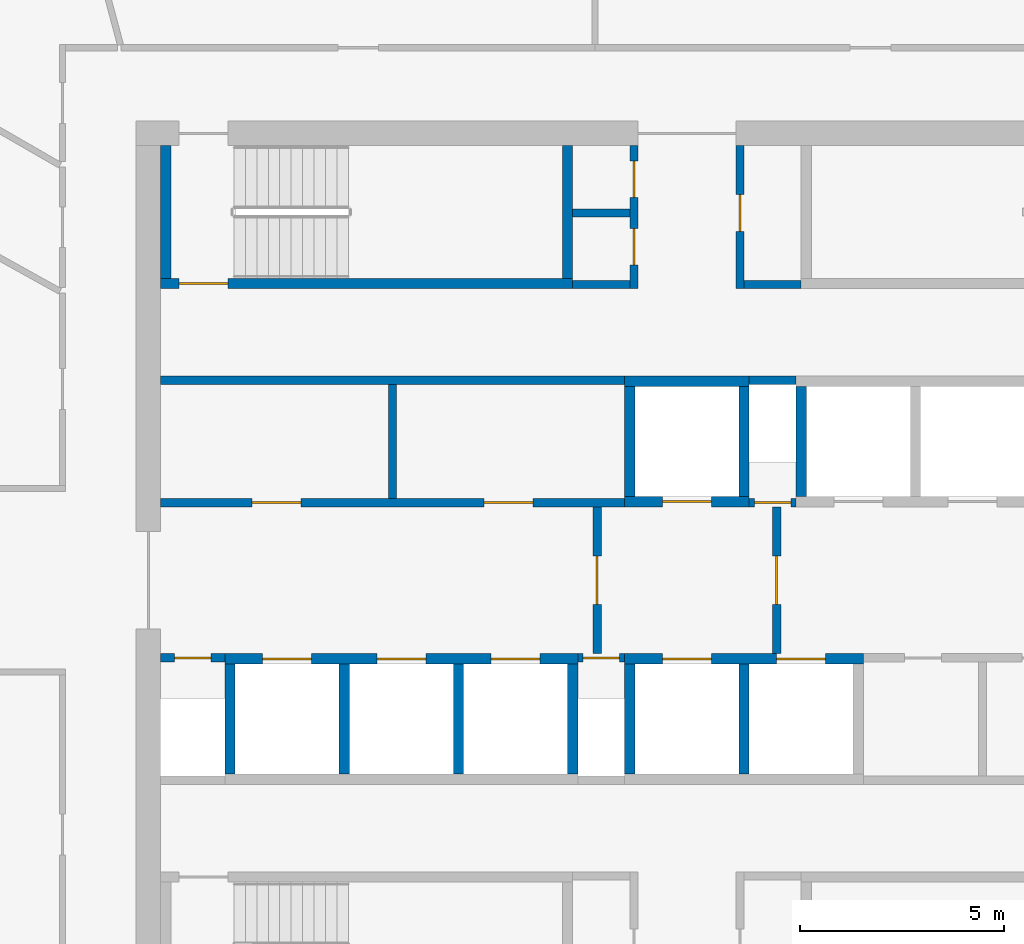
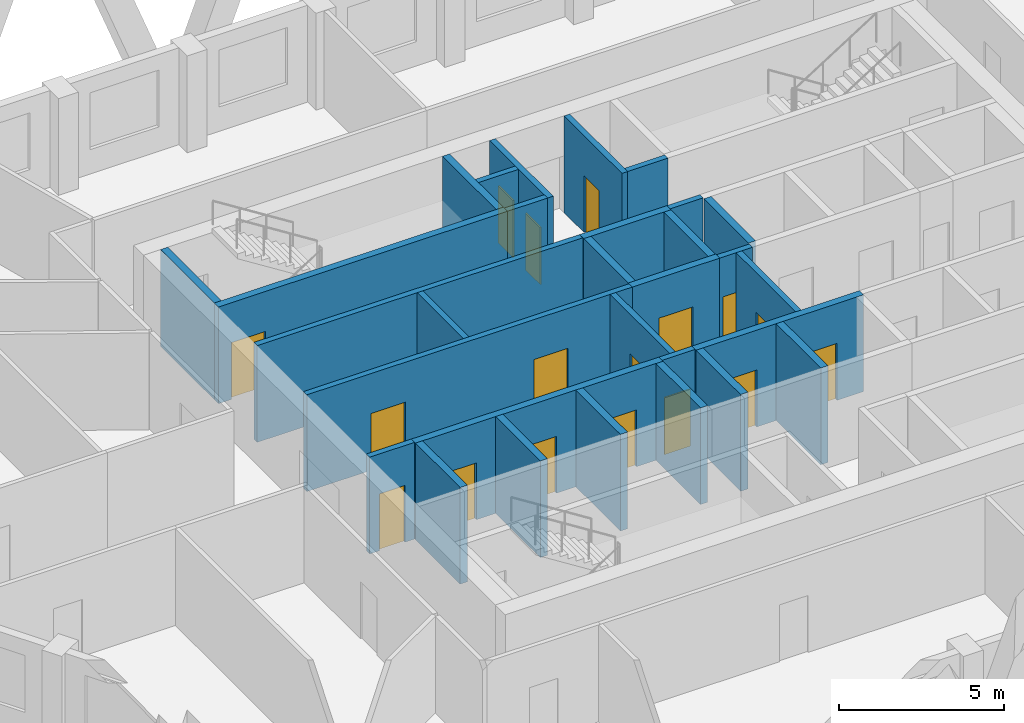
# One storey, part 3 of 13: 30 walls, 17 doors, 17 openings.
"""IFC4 building model written with IfcOpenShell, lengths in metres."""

from ifc_helpers import new_model, si_unit, direction, frame, frame_2d, origin, place, context, subcontext, project, spatial, polyline, rectangle, outline, extrude, material, layer, layer_set, type_object, element, fill, save


model = new_model("IFC4")

# Units and contexts
model_context = context("Model", 3, precision=1e-05, world=origin(), true_north=direction((0.0, 1.0)))
body_context = subcontext(model_context, "Body", "Model", "MODEL_VIEW")
ifc_project = project(units=[si_unit("LENGTHUNIT", "METRE"), si_unit("AREAUNIT", "SQUARE_METRE"), si_unit("VOLUMEUNIT", "CUBIC_METRE"), si_unit("PLANEANGLEUNIT", "RADIAN"), si_unit("MASSUNIT", "GRAM", prefix="KILO")], contexts=[model_context])

# Site, building, storey
site_placement = place(None, origin())
site = spatial("IfcSite", under=ifc_project, at=site_placement, CompositionType="ELEMENT")
building_placement = place(site_placement, origin())
building = spatial("IfcBuilding", under=site, at=building_placement, Name="Dhurran Vertical Campus", CompositionType="ELEMENT")
storey_placement = place(building_placement, frame((0.0, 0.0, 258.60009765625)))
storey = spatial("IfcBuildingStorey", under=building, at=storey_placement, Name="L64", CompositionType="ELEMENT", Elevation=258.60009765625)

# Wall, opening, door
ifc_material_1 = material(Name="Fire-rated masonry blockwork", Category="masonry")
ifc_layer_1 = layer(ifc_material_1, 0.199951171875)
ifc_layer_set_1 = layer_set([ifc_layer_1], Name="Fire-rated masonry blockwork")
wall_type_1 = type_object("IfcWallType", Name="co-FIRE-PARTITION-200", PredefinedType="PARTITIONING", material=ifc_layer_set_1)
wall_1_placement = place(storey_placement, frame((-2.199951171875, -1.800048828125, 0.0), z_axis=(0.0, 0.0, 1.0), x_axis=(0.0, 1.0, 0.0)))
wall_1 = element("IfcWall", 1, at=wall_1_placement, inside=storey, type_object=wall_type_1, Name="Firefighting lobby wall W L64", PredefinedType="PARTITIONING", context=body_context, shape_type="SweptSolid", body=[
    extrude(rectangle(XDim=3.60009765625, YDim=0.199951171875, at=frame_2d((1.800048828125, 0.0))), origin(), (0.0, 0.0, 1.0), 3.574951171875),
])
opening_1_placement = place(wall_1_placement, frame((1.199951171875, 0.0, 0.0)))
opening_1 = element("IfcOpeningElement", 2, at=opening_1_placement, cuts=wall_1, Name="Opening FL1", PredefinedType="OPENING", context=body_context, shape_type="SweptSolid", body=[
    extrude(rectangle(XDim=1.199951171875, YDim=2.10009765625, at=frame_2d((0.60009765625, 1.050048828125))), frame((0.0, 0.10986328125, 0.0), z_axis=(0.0, -1.0, 0.0), x_axis=(1.0, 0.0, 0.0)), (0.0, 0.0, 1.0), 0.219970703125),
])
ifc_material_2 = material(Name="Fire-rated steel door set", Category="steel")
door_type_1 = type_object("IfcDoorType", Name="co-D-FFLOBBY 1200x2100", OperationType="SINGLE_SWING_LEFT", PredefinedType="DOOR", material=ifc_material_2)
door_1_placement = place(opening_1_placement, origin())
door_1 = element("IfcDoor", 3, at=door_1_placement, inside=storey, type_object=door_type_1, Name="Firefighting lobby door W L64", OperationType="SINGLE_SWING_LEFT", OverallHeight=2.10009765625, OverallWidth=1.199951171875, PredefinedType="DOOR", context=body_context, shape_type="SweptSolid", body=[
    extrude(rectangle(XDim=1.199951171875, YDim=2.10009765625, at=frame_2d((0.60009765625, 1.050048828125))), frame((0.0, 0.02490234375, 0.0), z_axis=(0.0, -1.0, 0.0), x_axis=(1.0, 0.0, 0.0)), (0.0, 0.0, 1.0), 0.050048828125),
])
fill(opening_1, door_1)

wall_2_placement = place(storey_placement, frame((2.199951171875, -1.800048828125, 0.0), z_axis=(0.0, 0.0, 1.0), x_axis=(0.0, 1.0, 0.0)))
wall_2 = element("IfcWall", 4, at=wall_2_placement, inside=storey, type_object=wall_type_1, Name="Firefighting lobby wall E L64", PredefinedType="PARTITIONING", context=body_context, shape_type="SweptSolid", body=[
    extrude(rectangle(XDim=3.60009765625, YDim=0.199951171875, at=frame_2d((1.800048828125, 0.0))), origin(), (0.0, 0.0, 1.0), 3.574951171875),
])
opening_2_placement = place(wall_2_placement, frame((1.199951171875, 0.0, 0.0)))
opening_2 = element("IfcOpeningElement", 5, at=opening_2_placement, cuts=wall_2, Name="Opening FL2", PredefinedType="OPENING", context=body_context, shape_type="SweptSolid", body=[
    extrude(rectangle(XDim=1.199951171875, YDim=2.10009765625, at=frame_2d((0.60009765625, 1.050048828125))), frame((0.0, 0.10986328125, 0.0), z_axis=(0.0, -1.0, 0.0), x_axis=(1.0, 0.0, 0.0)), (0.0, 0.0, 1.0), 0.219970703125),
])
door_2_placement = place(opening_2_placement, origin())
door_2 = element("IfcDoor", 6, at=door_2_placement, inside=storey, type_object=door_type_1, Name="Firefighting lobby door E L64", OperationType="SINGLE_SWING_LEFT", OverallHeight=2.10009765625, OverallWidth=1.199951171875, PredefinedType="DOOR", context=body_context, shape_type="SweptSolid", body=[
    extrude(rectangle(XDim=1.199951171875, YDim=2.10009765625, at=frame_2d((0.60009765625, 1.050048828125))), frame((0.0, 0.02490234375, 0.0), z_axis=(0.0, -1.0, 0.0), x_axis=(1.0, 0.0, 0.0)), (0.0, 0.0, 1.0), 0.050048828125),
])
fill(opening_2, door_2)

# Walls
for number, where, z_axis, x_axis, name in (
    (7, (-2.800048828125, 7.25, 0.0), (0.0, 0.0, 1.0), (1.0, 0.0, 0.0), "Core partition sl-NW-S L64"),
    (8, (-2.800048828125, 9.0, 0.0), (0.0, 0.0, 1.0), (1.0, 0.0, 0.0), "Core partition sl-NW-cut0 L64"),
    (9, (1.39990234375, 7.25, 0.0), (0.0, 0.0, 1.0), (1.0, 0.0, 0.0), "Core partition sl-NE-S L64"),
):
    element("IfcWall", number, at=place(storey_placement, frame(where, z_axis=z_axis, x_axis=x_axis)), inside=storey, type_object=wall_type_1, Name=name, PredefinedType="PARTITIONING", context=body_context, shape_type="SweptSolid", body=[
        extrude(rectangle(XDim=1.400146484375, YDim=0.199951171875, at=frame_2d((0.7001953125, 0.0))), origin(), (0.0, 0.0, 1.0), 3.574951171875),
    ])

# Wall, openings, doors
wall_3_placement = place(storey_placement, frame((-1.300048828125, 7.14990234375, 0.0), z_axis=(0.0, 0.0, 1.0), x_axis=(0.0, 1.0, 0.0)))
wall_3 = element("IfcWall", 10, at=wall_3_placement, inside=storey, type_object=wall_type_1, Name="Core partition vest-NW L64", PredefinedType="PARTITIONING", context=body_context, shape_type="SweptSolid", body=[
    extrude(rectangle(XDim=3.5, YDim=0.199951171875, at=frame_2d((1.75, 0.0))), origin(), (0.0, 0.0, 1.0), 3.574951171875),
])
opening_3_placement = place(wall_3_placement, frame((0.574951171875, 0.0, 0.0)))
opening_3 = element("IfcOpeningElement", 11, at=opening_3_placement, cuts=wall_3, Name="Opening T19-C3", PredefinedType="OPENING", context=body_context, shape_type="SweptSolid", body=[
    extrude(rectangle(XDim=0.89990234375, YDim=2.10009765625, at=frame_2d((0.449951171875, 1.050048828125))), frame((0.0, 0.10986328125, 0.0), z_axis=(0.0, -1.0, 0.0), x_axis=(1.0, 0.0, 0.0)), (0.0, 0.0, 1.0), 0.219970703125),
])
opening_4_placement = place(wall_3_placement, frame((2.22509765625, 0.0, 0.0)))
opening_4 = element("IfcOpeningElement", 12, at=opening_4_placement, cuts=wall_3, Name="Opening T19-C4", PredefinedType="OPENING", context=body_context, shape_type="SweptSolid", body=[
    extrude(rectangle(XDim=0.89990234375, YDim=2.10009765625, at=frame_2d((0.449951171875, 1.050048828125))), frame((0.0, 0.10986328125, 0.0), z_axis=(0.0, -1.0, 0.0), x_axis=(1.0, 0.0, 0.0)), (0.0, 0.0, 1.0), 0.219970703125),
])
ifc_material_3 = material(Name="Fire-rated timber door set", Category="wood")
door_type_2 = type_object("IfcDoorType", Name="co-D-ROOM 900x2100", OperationType="SINGLE_SWING_LEFT", PredefinedType="DOOR", material=ifc_material_3)
door_3_placement = place(opening_3_placement, origin())
door_3 = element("IfcDoor", 13, at=door_3_placement, inside=storey, type_object=door_type_2, Name="Server room door L64", OperationType="SINGLE_SWING_LEFT", OverallHeight=2.10009765625, OverallWidth=0.89990234375, PredefinedType="DOOR", context=body_context, shape_type="SweptSolid", body=[
    extrude(rectangle(XDim=0.89990234375, YDim=2.10009765625, at=frame_2d((0.449951171875, 1.050048828125))), frame((0.0, 0.02490234375, 0.0), z_axis=(0.0, -1.0, 0.0), x_axis=(1.0, 0.0, 0.0)), (0.0, 0.0, 1.0), 0.050048828125),
])
fill(opening_3, door_3)
door_4_placement = place(opening_4_placement, origin())
door_4 = element("IfcDoor", 14, at=door_4_placement, inside=storey, type_object=door_type_2, Name="Fire equipment store door L64", OperationType="SINGLE_SWING_LEFT", OverallHeight=2.10009765625, OverallWidth=0.89990234375, PredefinedType="DOOR", context=body_context, shape_type="SweptSolid", body=[
    extrude(rectangle(XDim=0.89990234375, YDim=2.10009765625, at=frame_2d((0.449951171875, 1.050048828125))), frame((0.0, 0.02490234375, 0.0), z_axis=(0.0, -1.0, 0.0), x_axis=(1.0, 0.0, 0.0)), (0.0, 0.0, 1.0), 0.050048828125),
])
fill(opening_4, door_4)

# Wall, opening, door
wall_4_placement = place(storey_placement, frame((1.300048828125, 7.14990234375, 0.0), z_axis=(0.0, 0.0, 1.0), x_axis=(0.0, 1.0, 0.0)))
wall_4 = element("IfcWall", 15, at=wall_4_placement, inside=storey, type_object=wall_type_1, Name="Core partition vest-NE L64", PredefinedType="PARTITIONING", context=body_context, shape_type="SweptSolid", body=[
    extrude(rectangle(XDim=3.5, YDim=0.199951171875, at=frame_2d((1.75, 0.0))), origin(), (0.0, 0.0, 1.0), 3.574951171875),
])
opening_5_placement = place(wall_4_placement, frame((1.39990234375, 0.0, 0.0)))
opening_5 = element("IfcOpeningElement", 16, at=opening_5_placement, cuts=wall_4, Name="Opening T19-C5", PredefinedType="OPENING", context=body_context, shape_type="SweptSolid", body=[
    extrude(rectangle(XDim=0.89990234375, YDim=2.10009765625, at=frame_2d((0.449951171875, 1.050048828125))), frame((0.0, 0.10986328125, 0.0), z_axis=(0.0, -1.0, 0.0), x_axis=(1.0, 0.0, 0.0)), (0.0, 0.0, 1.0), 0.219970703125),
])
door_5_placement = place(opening_5_placement, origin())
door_5 = element("IfcDoor", 17, at=door_5_placement, inside=storey, type_object=door_type_2, Name="Pantry door L64", OperationType="SINGLE_SWING_LEFT", OverallHeight=2.10009765625, OverallWidth=0.89990234375, PredefinedType="DOOR", context=body_context, shape_type="SweptSolid", body=[
    extrude(rectangle(XDim=0.89990234375, YDim=2.10009765625, at=frame_2d((0.449951171875, 1.050048828125))), frame((0.0, 0.02490234375, 0.0), z_axis=(0.0, -1.0, 0.0), x_axis=(1.0, 0.0, 0.0)), (0.0, 0.0, 1.0), 0.050048828125),
])
fill(opening_5, door_5)

# Wall
wall_5_placement = place(storey_placement, frame((-7.21240234375, 2.0, 0.0), z_axis=(0.0, 0.0, 1.0), x_axis=(0.0, 1.0, 0.0)))
element("IfcWall", 18, at=wall_5_placement, inside=storey, type_object=wall_type_1, Name="Core partition fr-N0-cut0 L64", PredefinedType="PARTITIONING", context=body_context, shape_type="SweptSolid", body=[
    extrude(rectangle(XDim=2.800048828125, YDim=0.199951171875, at=frame_2d((1.39990234375, 0.0))), origin(), (0.0, 0.0, 1.0), 3.574951171875),
])

# Wall, openings, doors
wall_6_placement = place(storey_placement, frame((-12.89990234375, 1.89990234375, 0.0), z_axis=(0.0, 0.0, 1.0), x_axis=(1.0, 0.0, 0.0)))
wall_6 = element("IfcWall", 19, at=wall_6_placement, inside=storey, type_object=wall_type_1, Name="Core partition fr-N0-f L64", PredefinedType="PARTITIONING", context=body_context, shape_type="SweptSolid", body=[
    extrude(rectangle(XDim=11.375, YDim=0.199951171875, at=frame_2d((5.6875, 0.0))), origin(), (0.0, 0.0, 1.0), 3.574951171875),
])
opening_6_placement = place(wall_6_placement, frame((2.243896484375, 0.0, 0.0)))
opening_6 = element("IfcOpeningElement", 20, at=opening_6_placement, cuts=wall_6, Name="Opening T19-C6", PredefinedType="OPENING", context=body_context, shape_type="SweptSolid", body=[
    extrude(rectangle(XDim=1.199951171875, YDim=2.10009765625, at=frame_2d((0.60009765625, 1.050048828125))), frame((0.0, 0.10986328125, 0.0), z_axis=(0.0, -1.0, 0.0), x_axis=(1.0, 0.0, 0.0)), (0.0, 0.0, 1.0), 0.219970703125),
])
opening_7_placement = place(wall_6_placement, frame((7.931396484375, 0.0, 0.0)))
opening_7 = element("IfcOpeningElement", 21, at=opening_7_placement, cuts=wall_6, Name="Opening T19-C7", PredefinedType="OPENING", context=body_context, shape_type="SweptSolid", body=[
    extrude(rectangle(XDim=1.199951171875, YDim=2.10009765625, at=frame_2d((0.60009765625, 1.050048828125))), frame((0.0, 0.10986328125, 0.0), z_axis=(0.0, -1.0, 0.0), x_axis=(1.0, 0.0, 0.0)), (0.0, 0.0, 1.0), 0.219970703125),
])
ifc_material_4 = material(Name="Fire-rated steel door set", Category="steel")
door_type_3 = type_object("IfcDoorType", Name="co-D-ROOM-PASSAGE 1200x2100", OperationType="SINGLE_SWING_RIGHT", PredefinedType="DOOR", material=ifc_material_4)
door_6_placement = place(opening_6_placement, origin())
door_6 = element("IfcDoor", 22, at=door_6_placement, inside=storey, type_object=door_type_3, Name="Store door L64", OperationType="SINGLE_SWING_RIGHT", OverallHeight=2.10009765625, OverallWidth=1.199951171875, PredefinedType="DOOR", context=body_context, shape_type="SweptSolid", body=[
    extrude(rectangle(XDim=1.199951171875, YDim=2.10009765625, at=frame_2d((0.60009765625, 1.050048828125))), frame((0.0, 0.02490234375, 0.0), z_axis=(0.0, -1.0, 0.0), x_axis=(1.0, 0.0, 0.0)), (0.0, 0.0, 1.0), 0.050048828125),
])
fill(opening_6, door_6)
door_7_placement = place(opening_7_placement, origin())
door_7 = element("IfcDoor", 23, at=door_7_placement, inside=storey, type_object=door_type_3, Name="Housekeeping store door L64", OperationType="SINGLE_SWING_RIGHT", OverallHeight=2.10009765625, OverallWidth=1.199951171875, PredefinedType="DOOR", context=body_context, shape_type="SweptSolid", body=[
    extrude(rectangle(XDim=1.199951171875, YDim=2.10009765625, at=frame_2d((0.60009765625, 1.050048828125))), frame((0.0, 0.02490234375, 0.0), z_axis=(0.0, -1.0, 0.0), x_axis=(1.0, 0.0, 0.0)), (0.0, 0.0, 1.0), 0.050048828125),
])
fill(opening_7, door_7)

# Wall
wall_7_placement = place(storey_placement, frame((-12.89990234375, 4.89990234375, 0.0), z_axis=(0.0, 0.0, 1.0), x_axis=(1.0, 0.0, 0.0)))
element("IfcWall", 24, at=wall_7_placement, inside=storey, type_object=wall_type_1, Name="Core partition fr-N0-b L64", PredefinedType="PARTITIONING", context=body_context, shape_type="SweptSolid", body=[
    extrude(rectangle(XDim=11.375, YDim=0.199951171875, at=frame_2d((5.6875, 0.0))), origin(), (0.0, 0.0, 1.0), 3.574951171875),
])

# Wall, opening, door
wall_8_placement = place(storey_placement, frame((1.52490234375, 1.89990234375, 0.0), z_axis=(0.0, 0.0, 1.0), x_axis=(1.0, 0.0, 0.0)))
wall_8 = element("IfcWall", 25, at=wall_8_placement, inside=storey, type_object=wall_type_1, Name="Core partition fr-N1-f L64", PredefinedType="PARTITIONING", context=body_context, shape_type="SweptSolid", body=[
    extrude(rectangle(XDim=1.150146484375, YDim=0.199951171875, at=frame_2d((0.5751953125, 0.0))), origin(), (0.0, 0.0, 1.0), 3.574951171875),
])
opening_8_placement = place(wall_8_placement, frame((0.125, 0.0, 0.0)))
opening_8 = element("IfcOpeningElement", 26, at=opening_8_placement, cuts=wall_8, Name="Opening T19-C8", PredefinedType="OPENING", context=body_context, shape_type="SweptSolid", body=[
    extrude(rectangle(XDim=0.89990234375, YDim=2.10009765625, at=frame_2d((0.449951171875, 1.050048828125))), frame((0.0, 0.10986328125, 0.0), z_axis=(0.0, -1.0, 0.0), x_axis=(1.0, 0.0, 0.0)), (0.0, 0.0, 1.0), 0.219970703125),
])
door_8_placement = place(opening_8_placement, origin())
door_8 = element("IfcDoor", 27, at=door_8_placement, inside=storey, type_object=door_type_2, Name="Water riser door L64", OperationType="SINGLE_SWING_LEFT", OverallHeight=2.10009765625, OverallWidth=0.89990234375, PredefinedType="DOOR", context=body_context, shape_type="SweptSolid", body=[
    extrude(rectangle(XDim=0.89990234375, YDim=2.10009765625, at=frame_2d((0.449951171875, 1.050048828125))), frame((0.0, 0.02490234375, 0.0), z_axis=(0.0, -1.0, 0.0), x_axis=(1.0, 0.0, 0.0)), (0.0, 0.0, 1.0), 0.050048828125),
])
fill(opening_8, door_8)

# Wall
wall_9_placement = place(storey_placement, frame((1.52490234375, 4.89990234375, 0.0), z_axis=(0.0, 0.0, 1.0), x_axis=(1.0, 0.0, 0.0)))
element("IfcWall", 28, at=wall_9_placement, inside=storey, type_object=wall_type_1, Name="Core partition fr-N1-b L64", PredefinedType="PARTITIONING", context=body_context, shape_type="SweptSolid", body=[
    extrude(rectangle(XDim=1.150146484375, YDim=0.199951171875, at=frame_2d((0.5751953125, 0.0))), origin(), (0.0, 0.0, 1.0), 3.574951171875),
])

# Wall, opening, door
wall_10_placement = place(storey_placement, frame((-12.89990234375, -1.89990234375, 0.0), z_axis=(0.0, 0.0, 1.0), x_axis=(1.0, 0.0, 0.0)))
wall_10 = element("IfcWall", 29, at=wall_10_placement, inside=storey, type_object=wall_type_1, Name="Core partition fr-S0-f L64", PredefinedType="PARTITIONING", context=body_context, shape_type="SweptSolid", body=[
    extrude(rectangle(XDim=1.574951171875, YDim=0.199951171875, at=frame_2d((0.78759765625, 0.0))), origin(), (0.0, 0.0, 1.0), 3.574951171875),
])
opening_9_placement = place(wall_10_placement, frame((0.33740234375, 0.0, 0.0)))
opening_9 = element("IfcOpeningElement", 30, at=opening_9_placement, cuts=wall_10, Name="Opening T19-C10", PredefinedType="OPENING", context=body_context, shape_type="SweptSolid", body=[
    extrude(rectangle(XDim=0.89990234375, YDim=2.10009765625, at=frame_2d((0.449951171875, 1.050048828125))), frame((0.0, 0.10986328125, 0.0), z_axis=(0.0, -1.0, 0.0), x_axis=(1.0, 0.0, 0.0)), (0.0, 0.0, 1.0), 0.219970703125),
])
door_9_placement = place(opening_9_placement, origin())
door_9 = element("IfcDoor", 31, at=door_9_placement, inside=storey, type_object=door_type_2, Name="Electrical riser door L64", OperationType="SINGLE_SWING_LEFT", OverallHeight=2.10009765625, OverallWidth=0.89990234375, PredefinedType="DOOR", context=body_context, shape_type="SweptSolid", body=[
    extrude(rectangle(XDim=0.89990234375, YDim=2.10009765625, at=frame_2d((0.449951171875, 1.050048828125))), frame((0.0, 0.02490234375, 0.0), z_axis=(0.0, -1.0, 0.0), x_axis=(1.0, 0.0, 0.0)), (0.0, 0.0, 1.0), 0.050048828125),
])
fill(opening_9, door_9)

wall_11_placement = place(storey_placement, frame((-2.675048828125, -1.89990234375, 0.0), z_axis=(0.0, 0.0, 1.0), x_axis=(1.0, 0.0, 0.0)))
wall_11 = element("IfcWall", 32, at=wall_11_placement, inside=storey, type_object=wall_type_1, Name="Core partition fr-S1-f L64", PredefinedType="PARTITIONING", context=body_context, shape_type="SweptSolid", body=[
    extrude(rectangle(XDim=1.150146484375, YDim=0.199951171875, at=frame_2d((0.5751953125, 0.0))), origin(), (0.0, 0.0, 1.0), 3.574951171875),
])
opening_10_placement = place(wall_11_placement, frame((0.125, 0.0, 0.0)))
opening_10 = element("IfcOpeningElement", 33, at=opening_10_placement, cuts=wall_11, Name="Opening T19-C11", PredefinedType="OPENING", context=body_context, shape_type="SweptSolid", body=[
    extrude(rectangle(XDim=0.89990234375, YDim=2.10009765625, at=frame_2d((0.449951171875, 1.050048828125))), frame((0.0, 0.10986328125, 0.0), z_axis=(0.0, -1.0, 0.0), x_axis=(1.0, 0.0, 0.0)), (0.0, 0.0, 1.0), 0.219970703125),
])
door_10_placement = place(opening_10_placement, origin())
door_10 = element("IfcDoor", 34, at=door_10_placement, inside=storey, type_object=door_type_2, Name="Water riser door L64", OperationType="SINGLE_SWING_LEFT", OverallHeight=2.10009765625, OverallWidth=0.89990234375, PredefinedType="DOOR", context=body_context, shape_type="SweptSolid", body=[
    extrude(rectangle(XDim=0.89990234375, YDim=2.10009765625, at=frame_2d((0.449951171875, 1.050048828125))), frame((0.0, 0.02490234375, 0.0), z_axis=(0.0, -1.0, 0.0), x_axis=(1.0, 0.0, 0.0)), (0.0, 0.0, 1.0), 0.050048828125),
])
fill(opening_10, door_10)

ifc_material_5 = material(Name="Concrete C50/60", Category="concrete")
ifc_layer_2 = layer(ifc_material_5, 0.25)
ifc_layer_set_2 = layer_set([ifc_layer_2], Name="Concrete C50/60")
wall_type_2 = type_object("IfcWallType", Name="co-SHAFT-FRONT-250", PredefinedType="SHEAR", material=ifc_layer_set_2)
wall_12_placement = place(storey_placement, frame((-1.52490234375, 1.925048828125, 0.0), z_axis=(0.0, 0.0, 1.0), x_axis=(1.0, 0.0, 0.0)))
wall_12 = element("IfcWall", 35, at=wall_12_placement, inside=storey, type_object=wall_type_2, Name="Lift landing wall N L64", PredefinedType="SHEAR", context=body_context, shape_type="SweptSolid", body=[
    extrude(rectangle(XDim=3.0498046875, YDim=0.25, at=frame_2d((1.52490234375, 0.0))), origin(), (0.0, 0.0, 1.0), 3.574951171875),
])
opening_11_placement = place(wall_12_placement, frame((0.925048828125, 0.0, 0.0)))
opening_11 = element("IfcOpeningElement", 36, at=opening_11_placement, cuts=wall_12, Name="Opening LD", PredefinedType="OPENING", context=body_context, shape_type="SweptSolid", body=[
    extrude(rectangle(XDim=1.199951171875, YDim=2.10009765625, at=frame_2d((0.60009765625, 1.050048828125))), frame((0.0, 0.135009765625, 0.0), z_axis=(0.0, -1.0, 0.0), x_axis=(1.0, 0.0, 0.0)), (0.0, 0.0, 1.0), 0.27001953125),
])
ifc_material_6 = material(Name="Stainless steel landing door", Category="steel")
door_type_4 = type_object("IfcDoorType", Name="co-D-LANDING 1200x2100", OperationType="DOUBLE_DOOR_SLIDING", PredefinedType="DOOR", material=ifc_material_6)
door_11_placement = place(opening_11_placement, origin())
door_11 = element("IfcDoor", 37, at=door_11_placement, inside=storey, type_object=door_type_4, Name="Landing door FF1 L64", OperationType="DOUBLE_DOOR_SLIDING", OverallHeight=2.10009765625, OverallWidth=1.199951171875, PredefinedType="DOOR", context=body_context, shape_type="SweptSolid", body=[
    extrude(rectangle(XDim=1.199951171875, YDim=2.10009765625, at=frame_2d((0.60009765625, 1.050048828125))), frame((0.0, 0.02490234375, 0.0), z_axis=(0.0, -1.0, 0.0), x_axis=(1.0, 0.0, 0.0)), (0.0, 0.0, 1.0), 0.050048828125),
])
fill(opening_11, door_11)

# Wall, openings, doors
wall_13_placement = place(storey_placement, frame((-11.324951171875, -1.925048828125, 0.0), z_axis=(0.0, 0.0, 1.0), x_axis=(1.0, 0.0, 0.0)))
wall_13 = element("IfcWall", 38, at=wall_13_placement, inside=storey, type_object=wall_type_2, Name="Lift landing wall S L64", PredefinedType="SHEAR", context=body_context, shape_type="SweptSolid", body=[
    extrude(rectangle(XDim=8.64990234375, YDim=0.25, at=frame_2d((4.324951171875, 0.0))), origin(), (0.0, 0.0, 1.0), 3.574951171875),
])
opening_12_placement = place(wall_13_placement, frame((0.925048828125, 0.0, 0.0)))
opening_12 = element("IfcOpeningElement", 39, at=opening_12_placement, cuts=wall_13, Name="Opening LD", PredefinedType="OPENING", context=body_context, shape_type="SweptSolid", body=[
    extrude(rectangle(XDim=1.199951171875, YDim=2.10009765625, at=frame_2d((0.60009765625, 1.050048828125))), frame((0.0, 0.135009765625, 0.0), z_axis=(0.0, -1.0, 0.0), x_axis=(1.0, 0.0, 0.0)), (0.0, 0.0, 1.0), 0.27001953125),
])
opening_13_placement = place(wall_13_placement, frame((3.72509765625, 0.0, 0.0)))
opening_13 = element("IfcOpeningElement", 40, at=opening_13_placement, cuts=wall_13, Name="Opening LD", PredefinedType="OPENING", context=body_context, shape_type="SweptSolid", body=[
    extrude(rectangle(XDim=1.199951171875, YDim=2.10009765625, at=frame_2d((0.60009765625, 1.050048828125))), frame((0.0, 0.135009765625, 0.0), z_axis=(0.0, -1.0, 0.0), x_axis=(1.0, 0.0, 0.0)), (0.0, 0.0, 1.0), 0.27001953125),
])
opening_14_placement = place(wall_13_placement, frame((6.52490234375, 0.0, 0.0)))
opening_14 = element("IfcOpeningElement", 41, at=opening_14_placement, cuts=wall_13, Name="Opening LD", PredefinedType="OPENING", context=body_context, shape_type="SweptSolid", body=[
    extrude(rectangle(XDim=1.199951171875, YDim=2.10009765625, at=frame_2d((0.60009765625, 1.050048828125))), frame((0.0, 0.135009765625, 0.0), z_axis=(0.0, -1.0, 0.0), x_axis=(1.0, 0.0, 0.0)), (0.0, 0.0, 1.0), 0.27001953125),
])
door_12_placement = place(opening_12_placement, origin())
door_12 = element("IfcDoor", 42, at=door_12_placement, inside=storey, type_object=door_type_4, Name="Landing door HR3 L64", OperationType="DOUBLE_DOOR_SLIDING", OverallHeight=2.10009765625, OverallWidth=1.199951171875, PredefinedType="DOOR", context=body_context, shape_type="SweptSolid", body=[
    extrude(rectangle(XDim=1.199951171875, YDim=2.10009765625, at=frame_2d((0.60009765625, 1.050048828125))), frame((0.0, 0.02490234375, 0.0), z_axis=(0.0, -1.0, 0.0), x_axis=(1.0, 0.0, 0.0)), (0.0, 0.0, 1.0), 0.050048828125),
])
fill(opening_12, door_12)
door_13_placement = place(opening_13_placement, origin())
door_13 = element("IfcDoor", 43, at=door_13_placement, inside=storey, type_object=door_type_4, Name="Landing door HR4 L64", OperationType="DOUBLE_DOOR_SLIDING", OverallHeight=2.10009765625, OverallWidth=1.199951171875, PredefinedType="DOOR", context=body_context, shape_type="SweptSolid", body=[
    extrude(rectangle(XDim=1.199951171875, YDim=2.10009765625, at=frame_2d((0.60009765625, 1.050048828125))), frame((0.0, 0.02490234375, 0.0), z_axis=(0.0, -1.0, 0.0), x_axis=(1.0, 0.0, 0.0)), (0.0, 0.0, 1.0), 0.050048828125),
])
fill(opening_13, door_13)
door_14_placement = place(opening_14_placement, origin())
door_14 = element("IfcDoor", 44, at=door_14_placement, inside=storey, type_object=door_type_4, Name="Landing door HR5 L64", OperationType="DOUBLE_DOOR_SLIDING", OverallHeight=2.10009765625, OverallWidth=1.199951171875, PredefinedType="DOOR", context=body_context, shape_type="SweptSolid", body=[
    extrude(rectangle(XDim=1.199951171875, YDim=2.10009765625, at=frame_2d((0.60009765625, 1.050048828125))), frame((0.0, 0.02490234375, 0.0), z_axis=(0.0, -1.0, 0.0), x_axis=(1.0, 0.0, 0.0)), (0.0, 0.0, 1.0), 0.050048828125),
])
fill(opening_14, door_14)

wall_14_placement = place(storey_placement, frame((-1.52490234375, -1.925048828125, 0.0), z_axis=(0.0, 0.0, 1.0), x_axis=(1.0, 0.0, 0.0)))
wall_14 = element("IfcWall", 45, at=wall_14_placement, inside=storey, type_object=wall_type_2, Name="Lift landing wall S L64", PredefinedType="SHEAR", context=body_context, shape_type="SweptSolid", body=[
    extrude(rectangle(XDim=5.849853515625, YDim=0.25, at=frame_2d((2.9248046875, 0.0))), origin(), (0.0, 0.0, 1.0), 3.574951171875),
])
opening_15_placement = place(wall_14_placement, frame((0.925048828125, 0.0, 0.0)))
opening_15 = element("IfcOpeningElement", 46, at=opening_15_placement, cuts=wall_14, Name="Opening LD", PredefinedType="OPENING", context=body_context, shape_type="SweptSolid", body=[
    extrude(rectangle(XDim=1.199951171875, YDim=2.10009765625, at=frame_2d((0.60009765625, 1.050048828125))), frame((0.0, 0.135009765625, 0.0), z_axis=(0.0, -1.0, 0.0), x_axis=(1.0, 0.0, 0.0)), (0.0, 0.0, 1.0), 0.27001953125),
])
opening_16_placement = place(wall_14_placement, frame((3.72509765625, 0.0, 0.0)))
opening_16 = element("IfcOpeningElement", 47, at=opening_16_placement, cuts=wall_14, Name="Opening LD", PredefinedType="OPENING", context=body_context, shape_type="SweptSolid", body=[
    extrude(rectangle(XDim=1.199951171875, YDim=2.10009765625, at=frame_2d((0.60009765625, 1.050048828125))), frame((0.0, 0.135009765625, 0.0), z_axis=(0.0, -1.0, 0.0), x_axis=(1.0, 0.0, 0.0)), (0.0, 0.0, 1.0), 0.27001953125),
])
door_15_placement = place(opening_15_placement, origin())
door_15 = element("IfcDoor", 48, at=door_15_placement, inside=storey, type_object=door_type_4, Name="Landing door FF2 L64", OperationType="DOUBLE_DOOR_SLIDING", OverallHeight=2.10009765625, OverallWidth=1.199951171875, PredefinedType="DOOR", context=body_context, shape_type="SweptSolid", body=[
    extrude(rectangle(XDim=1.199951171875, YDim=2.10009765625, at=frame_2d((0.60009765625, 1.050048828125))), frame((0.0, 0.02490234375, 0.0), z_axis=(0.0, -1.0, 0.0), x_axis=(1.0, 0.0, 0.0)), (0.0, 0.0, 1.0), 0.050048828125),
])
fill(opening_15, door_15)
door_16_placement = place(opening_16_placement, origin())
door_16 = element("IfcDoor", 49, at=door_16_placement, inside=storey, type_object=door_type_4, Name="Landing door SV1 L64", OperationType="DOUBLE_DOOR_SLIDING", OverallHeight=2.10009765625, OverallWidth=1.199951171875, PredefinedType="DOOR", context=body_context, shape_type="SweptSolid", body=[
    extrude(rectangle(XDim=1.199951171875, YDim=2.10009765625, at=frame_2d((0.60009765625, 1.050048828125))), frame((0.0, 0.02490234375, 0.0), z_axis=(0.0, -1.0, 0.0), x_axis=(1.0, 0.0, 0.0)), (0.0, 0.0, 1.0), 0.050048828125),
])
fill(opening_16, door_16)

# Walls
ifc_material_7 = material(Name="Concrete C50/60", Category="concrete")
ifc_layer_3 = layer(ifc_material_7, 0.25)
ifc_layer_set_3 = layer_set([ifc_layer_3], Name="Concrete C50/60")
wall_type_3 = type_object("IfcWallType", Name="co-SHAFT-MASS-250", PredefinedType="SHEAR", material=ifc_layer_set_3)
wall_15_placement = place(storey_placement, origin())
element("IfcWall", 50, at=wall_15_placement, inside=storey, type_object=wall_type_3, Name="Lift shaft wall N L64 1", PredefinedType="SHEAR", context=body_context, shape_type="SweptSolid", body=[
    extrude(outline(polyline([(-1.52490234375, 4.75), (1.52490234375, 4.75), (1.52490234375, 5.0), (-1.52490234375, 5.0), (-1.52490234375, 4.75)])), origin(), (0.0, 0.0, 1.0), 3.574951171875),
])
wall_16_placement = place(storey_placement, origin())
element("IfcWall", 51, at=wall_16_placement, inside=storey, type_object=wall_type_3, Name="Lift shaft wall N L64 4", PredefinedType="SHEAR", context=body_context, shape_type="SweptSolid", body=[
    extrude(outline(polyline([(-1.52490234375, 2.050048828125), (-1.27490234375, 2.050048828125), (-1.27490234375, 4.75), (-1.52490234375, 4.75), (-1.52490234375, 2.050048828125)])), origin(), (0.0, 0.0, 1.0), 3.574951171875),
])
wall_17_placement = place(storey_placement, origin())
element("IfcWall", 52, at=wall_17_placement, inside=storey, type_object=wall_type_3, Name="Lift shaft wall N L64 5", PredefinedType="SHEAR", context=body_context, shape_type="SweptSolid", body=[
    extrude(outline(polyline([(1.27490234375, 2.050048828125), (1.52490234375, 2.050048828125), (1.52490234375, 4.75), (1.27490234375, 4.75), (1.27490234375, 2.050048828125)])), origin(), (0.0, 0.0, 1.0), 3.574951171875),
])
wall_18_placement = place(storey_placement, origin())
element("IfcWall", 53, at=wall_18_placement, inside=storey, type_object=wall_type_3, Name="Lift shaft wall N L64 6", PredefinedType="SHEAR", context=body_context, shape_type="SweptSolid", body=[
    extrude(outline(polyline([(2.675048828125, 2.050048828125), (2.925048828125, 2.050048828125), (2.925048828125, 4.75), (2.675048828125, 4.75), (2.675048828125, 2.050048828125)])), origin(), (0.0, 0.0, 1.0), 3.574951171875),
])
wall_19_placement = place(storey_placement, origin())
element("IfcWall", 54, at=wall_19_placement, inside=storey, type_object=wall_type_3, Name="Lift shaft wall S L64 3", PredefinedType="SHEAR", context=body_context, shape_type="SweptSolid", body=[
    extrude(outline(polyline([(-11.324951171875, -4.75), (-11.074951171875, -4.75), (-11.074951171875, -2.050048828125), (-11.324951171875, -2.050048828125), (-11.324951171875, -4.75)])), origin(), (0.0, 0.0, 1.0), 3.574951171875),
])
wall_20_placement = place(storey_placement, origin())
element("IfcWall", 55, at=wall_20_placement, inside=storey, type_object=wall_type_3, Name="Lift shaft wall S L64 4", PredefinedType="SHEAR", context=body_context, shape_type="SweptSolid", body=[
    extrude(outline(polyline([(-8.52490234375, -4.75), (-8.27490234375, -4.75), (-8.27490234375, -2.050048828125), (-8.52490234375, -2.050048828125), (-8.52490234375, -4.75)])), origin(), (0.0, 0.0, 1.0), 3.574951171875),
])
wall_21_placement = place(storey_placement, origin())
element("IfcWall", 56, at=wall_21_placement, inside=storey, type_object=wall_type_3, Name="Lift shaft wall S L64 5", PredefinedType="SHEAR", context=body_context, shape_type="SweptSolid", body=[
    extrude(outline(polyline([(-5.72509765625, -4.75), (-5.47509765625, -4.75), (-5.47509765625, -2.050048828125), (-5.72509765625, -2.050048828125), (-5.72509765625, -4.75)])), origin(), (0.0, 0.0, 1.0), 3.574951171875),
])
wall_22_placement = place(storey_placement, origin())
element("IfcWall", 57, at=wall_22_placement, inside=storey, type_object=wall_type_3, Name="Lift shaft wall S L64 6", PredefinedType="SHEAR", context=body_context, shape_type="SweptSolid", body=[
    extrude(outline(polyline([(-2.925048828125, -4.75), (-2.675048828125, -4.75), (-2.675048828125, -2.050048828125), (-2.925048828125, -2.050048828125), (-2.925048828125, -4.75)])), origin(), (0.0, 0.0, 1.0), 3.574951171875),
])
wall_23_placement = place(storey_placement, origin())
element("IfcWall", 58, at=wall_23_placement, inside=storey, type_object=wall_type_3, Name="Lift shaft wall S L64 7", PredefinedType="SHEAR", context=body_context, shape_type="SweptSolid", body=[
    extrude(outline(polyline([(-1.52490234375, -4.75), (-1.27490234375, -4.75), (-1.27490234375, -2.050048828125), (-1.52490234375, -2.050048828125), (-1.52490234375, -4.75)])), origin(), (0.0, 0.0, 1.0), 3.574951171875),
])
wall_24_placement = place(storey_placement, origin())
element("IfcWall", 59, at=wall_24_placement, inside=storey, type_object=wall_type_3, Name="Lift shaft wall S L64 8", PredefinedType="SHEAR", context=body_context, shape_type="SweptSolid", body=[
    extrude(outline(polyline([(1.27490234375, -4.75), (1.52490234375, -4.75), (1.52490234375, -2.050048828125), (1.27490234375, -2.050048828125), (1.27490234375, -4.75)])), origin(), (0.0, 0.0, 1.0), 3.574951171875),
])

# Wall, opening, door
ifc_material_8 = material(Name="Concrete C40/50", Category="concrete")
ifc_layer_4 = layer(ifc_material_8, 0.25)
ifc_layer_set_4 = layer_set([ifc_layer_4], Name="Concrete C40/50")
wall_type_4 = type_object("IfcWallType", Name="co-STAIR-WALL-250", PredefinedType="SHEAR", material=ifc_layer_set_4)
wall_25_placement = place(storey_placement, frame((-12.89990234375, 7.27490234375, 0.0), z_axis=(0.0, 0.0, 1.0), x_axis=(1.0, 0.0, 0.0)))
wall_25 = element("IfcWall", 60, at=wall_25_placement, inside=storey, type_object=wall_type_4, Name="Stair ST1 enclosure wall L64", PredefinedType="SHEAR", context=body_context, shape_type="SweptSolid", body=[
    extrude(rectangle(XDim=10.099853515625, YDim=0.25, at=frame_2d((5.0498046875, 0.0))), origin(), (0.0, 0.0, 1.0), 3.574951171875),
])
opening_17_placement = place(wall_25_placement, frame((0.449951171875, 0.0, 0.0)))
opening_17 = element("IfcOpeningElement", 61, at=opening_17_placement, cuts=wall_25, Name="Opening SD1", PredefinedType="OPENING", context=body_context, shape_type="SweptSolid", body=[
    extrude(rectangle(XDim=1.199951171875, YDim=2.10009765625, at=frame_2d((0.60009765625, 1.050048828125))), frame((0.0, 0.135009765625, 0.0), z_axis=(0.0, -1.0, 0.0), x_axis=(1.0, 0.0, 0.0)), (0.0, 0.0, 1.0), 0.27001953125),
])
ifc_material_9 = material(Name="Fire-rated steel door set", Category="steel")
door_type_5 = type_object("IfcDoorType", Name="co-D-STAIR 1200x2100", OperationType="SINGLE_SWING_LEFT", PredefinedType="DOOR", material=ifc_material_9)
door_17_placement = place(opening_17_placement, origin())
door_17 = element("IfcDoor", 62, at=door_17_placement, inside=storey, type_object=door_type_5, Name="Stair ST1 door L64", OperationType="SINGLE_SWING_LEFT", OverallHeight=2.10009765625, OverallWidth=1.199951171875, PredefinedType="DOOR", context=body_context, shape_type="SweptSolid", body=[
    extrude(rectangle(XDim=1.199951171875, YDim=2.10009765625, at=frame_2d((0.60009765625, 1.050048828125))), frame((0.0, 0.02490234375, 0.0), z_axis=(0.0, -1.0, 0.0), x_axis=(1.0, 0.0, 0.0)), (0.0, 0.0, 1.0), 0.050048828125),
])
fill(opening_17, door_17)

# Walls
for number, where, z_axis, x_axis, name in (
    (63, (-12.77490234375, 7.39990234375, 0.0), (0.0, 0.0, 1.0), (0.0, 1.0, 0.0), "Stair ST1 enclosure wall L64"),
    (64, (-2.925048828125, 7.39990234375, 0.0), (0.0, 0.0, 1.0), (0.0, 1.0, 0.0), "Stair ST1 enclosure wall L64"),
):
    element("IfcWall", number, at=place(storey_placement, frame(where, z_axis=z_axis, x_axis=x_axis)), inside=storey, type_object=wall_type_4, Name=name, PredefinedType="SHEAR", context=body_context, shape_type="SweptSolid", body=[
        extrude(rectangle(XDim=3.25, YDim=0.25, at=frame_2d((1.625, 0.0))), origin(), (0.0, 0.0, 1.0), 3.574951171875),
    ])

save(model, "model.ifc")
